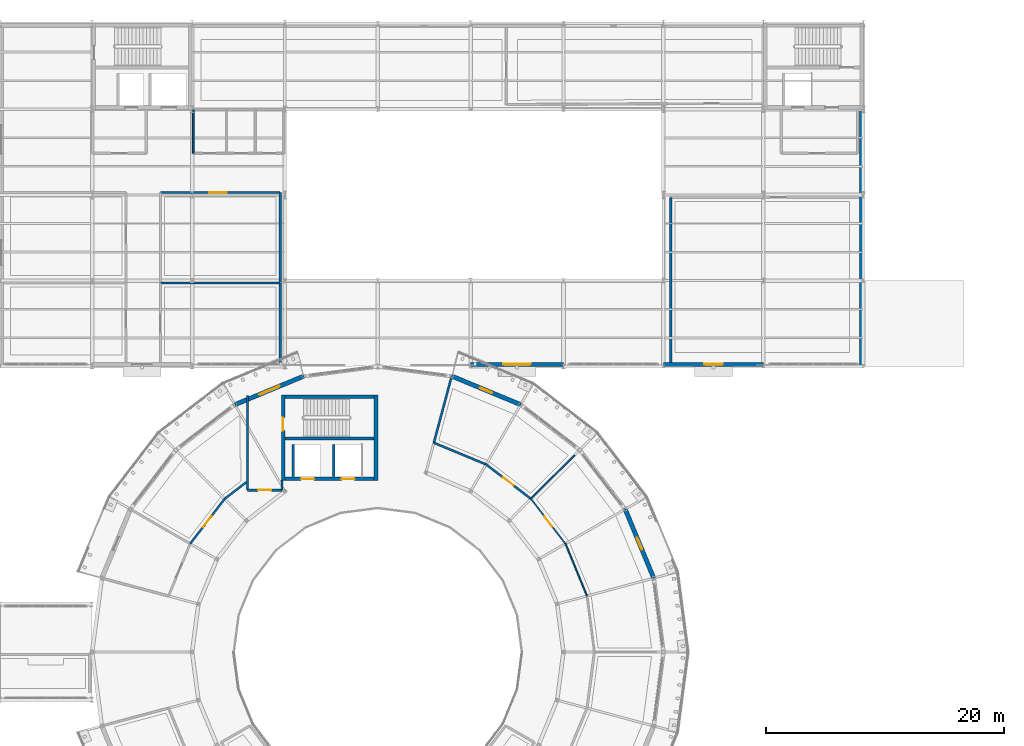
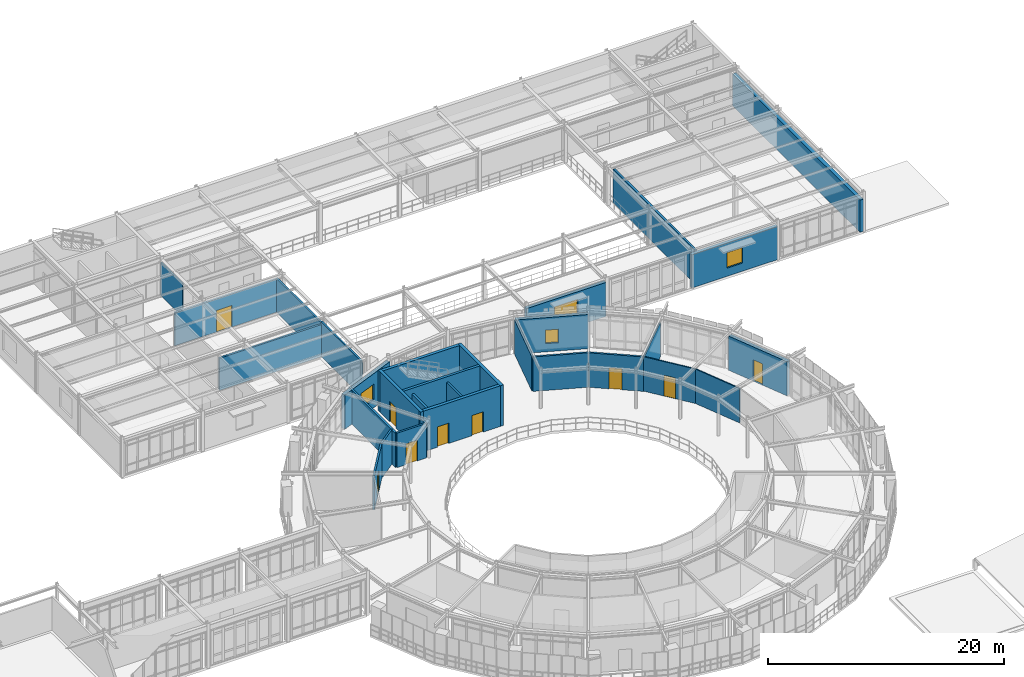
# One storey, part 77 of 90: 30 walls, 9 doors, 4 windows, 13 openings.
"""IFC4 building model written with IfcOpenShell, lengths in metres."""

from ifc_helpers import new_model, si_unit, derived_unit, direction, frame, frame_2d, origin, place, context, subcontext, project, spatial, rectangle, extrude, material, layer, layer_set, type_object, element, fill, save


model = new_model("IFC4")

# Units and contexts
model_context = context("Model", 3, precision=1e-05, world=origin(), true_north=direction((0.0, 1.0)))
body_context = subcontext(model_context, "Body", "Model", "MODEL_VIEW")
ifc_project = project(units=[si_unit("LENGTHUNIT", "METRE"), si_unit("AREAUNIT", "SQUARE_METRE"), si_unit("VOLUMEUNIT", "CUBIC_METRE"), si_unit("PLANEANGLEUNIT", "RADIAN"), si_unit("MASSUNIT", "GRAM", prefix="KILO"), derived_unit("THERMALTRANSMITTANCEUNIT", [(si_unit("POWERUNIT", "WATT"), 1), (si_unit("AREAUNIT", "SQUARE_METRE"), -1), (si_unit("THERMODYNAMICTEMPERATUREUNIT", "KELVIN"), -1)])], contexts=[model_context])

# Site, building, storey
site_placement = place(None, origin())
site = spatial("IfcSite", under=ifc_project, at=site_placement, CompositionType="ELEMENT")
building_placement = place(site_placement, origin())
building = spatial("IfcBuilding", under=site, at=building_placement, Name="Yasenodar Specialist Clinic", CompositionType="ELEMENT")
storey_placement = place(building_placement, frame((0.0, 0.0, 9.0)))
storey = spatial("IfcBuildingStorey", under=building, at=storey_placement, Name="L02", CompositionType="ELEMENT", Elevation=9.0)

# Wall, opening, door
ifc_material_1 = material(Name="Drum Insulated Terracotta Chord Wall", Category="masonry")
ifc_layer_1 = layer(ifc_material_1, 0.364990234375)
ifc_layer_set_1 = layer_set([ifc_layer_1], Name="Drum Insulated Terracotta Chord Wall")
wall_type_1 = type_object("IfcWallType", Name="EW-DRUM-365", PredefinedType="SOLIDWALL", material=ifc_layer_set_1)
wall_1_placement = place(storey_placement, frame((101.78466796875, 70.800048828125, 0.0), z_axis=(0.0, 0.0, 1.0), x_axis=(0.382663829839, -0.9238876519, 0.0)))
wall_1 = element("IfcWall", 1, at=wall_1_placement, inside=storey, type_object=wall_type_1, Name="L02 Exterior Facade Wall 0016", PredefinedType="SOLIDWALL", context=body_context, shape_type="SweptSolid", body=[
    extrude(rectangle(XDim=6.26513671875, YDim=0.364990234375, at=frame_2d((3.132568359375, 0.0))), origin(), (0.0, 0.0, 1.0), 3.5380859375),
])
opening_1_placement = place(wall_1_placement, frame((2.607666015625, 0.0, 0.0)))
opening_1 = element("IfcOpeningElement", 2, at=opening_1_placement, cuts=wall_1, Name="Opening BD-01", PredefinedType="OPENING", context=body_context, shape_type="SweptSolid", body=[
    extrude(rectangle(XDim=1.050048828125, YDim=2.199951171875, at=frame_2d((0.52490234375, 1.10009765625))), frame((0.0, 0.1923828125, 0.0), z_axis=(0.0, -1.0, 0.0), x_axis=(1.0, 0.0, 0.0)), (0.0, 0.0, 1.0), 0.385009765625),
])
ifc_material_2 = material(Name="Thermally Broken Bronze Anodized Aluminium and Laminated Glass", Category="aluminium")
door_type_1 = type_object("IfcDoorType", Name="DR-BALC-105", OperationType="NOTDEFINED", PredefinedType="DOOR", material=ifc_material_2)
door_1_placement = place(opening_1_placement, origin())
door_1 = element("IfcDoor", 3, at=door_1_placement, inside=storey, type_object=door_type_1, Name="L02 Drum Balcony Access Door Sector 01", OperationType="SINGLE_SWING_LEFT", OverallHeight=2.199951171875, OverallWidth=1.050048828125, PredefinedType="DOOR", context=body_context, shape_type="SweptSolid", body=[
    extrude(rectangle(XDim=1.050048828125, YDim=2.199951171875, at=frame_2d((0.52490234375, 1.10009765625))), frame((0.0, 0.02490234375, 0.0), z_axis=(0.0, -1.0, 0.0), x_axis=(1.0, 0.0, 0.0)), (0.0, 0.0, 1.0), 0.050048828125),
])
fill(opening_1, door_1)

# Wall, opening, window
wall_2_placement = place(storey_placement, frame((87.211669921875, 81.982177734375, 0.0), z_axis=(0.0, 0.0, 1.0), x_axis=(0.9238876519, -0.382663829839, 0.0)))
wall_2 = element("IfcWall", 4, at=wall_2_placement, inside=storey, type_object=wall_type_1, Name="L02 Exterior Facade Wall 0017", PredefinedType="SOLIDWALL", context=body_context, shape_type="SweptSolid", body=[
    extrude(rectangle(XDim=6.26513671875, YDim=0.364990234375, at=frame_2d((3.132568359375, 0.0))), origin(), (0.0, 0.0, 1.0), 3.5380859375),
])
opening_2_placement = place(wall_2_placement, frame((2.58251953125, 0.0, 0.85009765625)))
opening_2 = element("IfcOpeningElement", 5, at=opening_2_placement, cuts=wall_2, Name="Opening W-19", PredefinedType="OPENING", context=body_context, shape_type="SweptSolid", body=[
    extrude(rectangle(XDim=1.10009765625, YDim=1.39990234375, at=frame_2d((0.550048828125, 0.699951171875))), frame((0.0, 0.1923828125, 0.0), z_axis=(0.0, -1.0, 0.0), x_axis=(1.0, 0.0, 0.0)), (0.0, 0.0, 1.0), 0.385009765625),
])
ifc_material_3 = material(Name="Triple Low-E Argon Glazing in Bronze Aluminium Frame", Category="aluminium")
window_type_1 = type_object("IfcWindowType", Name="WIN-EXT-19", PartitioningType="SINGLE_PANEL", PredefinedType="WINDOW", material=ifc_material_3)
window_1_placement = place(opening_2_placement, origin())
window_1 = element("IfcWindow", 6, at=window_1_placement, inside=storey, type_object=window_type_1, Name="L02 Triple-Glazed Reveal Window 0010", OverallHeight=1.39990234375, OverallWidth=1.10009765625, PartitioningType="SINGLE_PANEL", PredefinedType="WINDOW", context=body_context, shape_type="SweptSolid", body=[
    extrude(rectangle(XDim=1.10009765625, YDim=1.39990234375, at=frame_2d((0.550048828125, 0.699951171875))), frame((0.0, 0.030029296875, 0.0), z_axis=(0.0, -1.0, 0.0), x_axis=(1.0, 0.0, 0.0)), (0.0, 0.0, 1.0), 0.06005859375),
])
fill(opening_2, window_1)

wall_3_placement = place(storey_placement, frame((69.0, 79.584716796875, 0.0), z_axis=(0.0, 0.0, 1.0), x_axis=(0.9238876519, 0.382663829839, 0.0)))
wall_3 = element("IfcWall", 7, at=wall_3_placement, inside=storey, type_object=wall_type_1, Name="L02 Exterior Facade Wall 0018", PredefinedType="SOLIDWALL", context=body_context, shape_type="SweptSolid", body=[
    extrude(rectangle(XDim=6.26513671875, YDim=0.364990234375, at=frame_2d((3.132568359375, 0.0))), origin(), (0.0, 0.0, 1.0), 3.5380859375),
])
opening_3_placement = place(wall_3_placement, frame((2.20751953125, 0.0, 0.85009765625)))
opening_3 = element("IfcOpeningElement", 8, at=opening_3_placement, cuts=wall_3, Name="Opening W-28", PredefinedType="OPENING", context=body_context, shape_type="SweptSolid", body=[
    extrude(rectangle(XDim=1.85009765625, YDim=1.60009765625, at=frame_2d((0.925048828125, 0.800048828125))), frame((0.0, 0.1923828125, 0.0), z_axis=(0.0, -1.0, 0.0), x_axis=(1.0, 0.0, 0.0)), (0.0, 0.0, 1.0), 0.385009765625),
])
window_type_2 = type_object("IfcWindowType", Name="WIN-EXT-28", PartitioningType="SINGLE_PANEL", PredefinedType="WINDOW", material=ifc_material_3)
window_2_placement = place(opening_3_placement, origin())
window_2 = element("IfcWindow", 9, at=window_2_placement, inside=storey, type_object=window_type_2, Name="L02 Triple-Glazed Reveal Window 0011", OverallHeight=1.60009765625, OverallWidth=1.85009765625, PartitioningType="SINGLE_PANEL", PredefinedType="WINDOW", context=body_context, shape_type="SweptSolid", body=[
    extrude(rectangle(XDim=1.85009765625, YDim=1.60009765625, at=frame_2d((0.925048828125, 0.800048828125))), frame((0.0, 0.030029296875, 0.0), z_axis=(0.0, -1.0, 0.0), x_axis=(1.0, 0.0, 0.0)), (0.0, 0.0, 1.0), 0.06005859375),
])
fill(opening_3, window_2)

ifc_material_4 = material(Name="Buff Architectural Terracotta Rainscreen", Category="masonry")
ifc_layer_2 = layer(ifc_material_4, 0.340087890625)
ifc_layer_set_2 = layer_set([ifc_layer_2], Name="Buff Architectural Terracotta Rainscreen")
wall_type_2 = type_object("IfcWallType", Name="EW-TERR-340", PredefinedType="SOLIDWALL", material=ifc_layer_set_2)
wall_4_placement = place(storey_placement, frame((113.39990234375, 82.969970703125, 0.0), z_axis=(0.0, 0.0, 1.0), x_axis=(-1.0, 0.0, 0.0)))
wall_4 = element("IfcWall", 10, at=wall_4_placement, inside=storey, type_object=wall_type_2, Name="L02 Exterior Facade Wall 0139", PredefinedType="SOLIDWALL", context=body_context, shape_type="SweptSolid", body=[
    extrude(rectangle(XDim=8.39990234375, YDim=0.340087890625, at=frame_2d((4.199951171875, 0.0))), origin(), (0.0, 0.0, 1.0), 3.427978515625),
])
opening_4_placement = place(wall_4_placement, frame((3.425048828125, 0.0, 0.85009765625)))
opening_4 = element("IfcOpeningElement", 11, at=opening_4_placement, cuts=wall_4, Name="Opening W-16", PredefinedType="OPENING", context=body_context, shape_type="SweptSolid", body=[
    extrude(rectangle(XDim=1.550048828125, YDim=1.60009765625, at=frame_2d((0.77490234375, 0.800048828125))), frame((0.0, 0.18017578125, 0.0), z_axis=(0.0, -1.0, 0.0), x_axis=(1.0, 0.0, 0.0)), (0.0, 0.0, 1.0), 0.360107421875),
])
window_type_3 = type_object("IfcWindowType", Name="WIN-EXT-16", PartitioningType="SINGLE_PANEL", PredefinedType="WINDOW", material=ifc_material_3)
window_3_placement = place(opening_4_placement, origin())
window_3 = element("IfcWindow", 12, at=window_3_placement, inside=storey, type_object=window_type_3, Name="L02 Triple-Glazed Reveal Window 0155", OverallHeight=1.60009765625, OverallWidth=1.550048828125, PartitioningType="SINGLE_PANEL", PredefinedType="WINDOW", context=body_context, shape_type="SweptSolid", body=[
    extrude(rectangle(XDim=1.550048828125, YDim=1.60009765625, at=frame_2d((0.77490234375, 0.800048828125))), frame((0.0, 0.030029296875, 0.0), z_axis=(0.0, -1.0, 0.0), x_axis=(1.0, 0.0, 0.0)), (0.0, 0.0, 1.0), 0.06005859375),
])
fill(opening_4, window_3)

wall_5_placement = place(storey_placement, frame((96.60009765625, 82.969970703125, 0.0), z_axis=(0.0, 0.0, 1.0), x_axis=(-1.0, 0.0, 0.0)))
wall_5 = element("IfcWall", 13, at=wall_5_placement, inside=storey, type_object=wall_type_2, Name="L02 Exterior Facade Wall 0140", PredefinedType="SOLIDWALL", context=body_context, shape_type="SweptSolid", body=[
    extrude(rectangle(XDim=7.800048828125, YDim=0.340087890625, at=frame_2d((3.89990234375, 0.0))), origin(), (0.0, 0.0, 1.0), 3.528076171875),
])
opening_5_placement = place(wall_5_placement, frame((2.75, 0.0, 0.85009765625)))
opening_5 = element("IfcOpeningElement", 14, at=opening_5_placement, cuts=wall_5, Name="Opening W-18", PredefinedType="OPENING", context=body_context, shape_type="SweptSolid", body=[
    extrude(rectangle(XDim=2.300048828125, YDim=1.89990234375, at=frame_2d((1.14990234375, 0.949951171875))), frame((0.0, 0.18017578125, 0.0), z_axis=(0.0, -1.0, 0.0), x_axis=(1.0, 0.0, 0.0)), (0.0, 0.0, 1.0), 0.360107421875),
])
window_type_4 = type_object("IfcWindowType", Name="WIN-EXT-18", PartitioningType="SINGLE_PANEL", PredefinedType="WINDOW", material=ifc_material_3)
window_4_placement = place(opening_5_placement, origin())
window_4 = element("IfcWindow", 15, at=window_4_placement, inside=storey, type_object=window_type_4, Name="L02 Triple-Glazed Reveal Window 0156", OverallHeight=1.89990234375, OverallWidth=2.300048828125, PartitioningType="SINGLE_PANEL", PredefinedType="WINDOW", context=body_context, shape_type="SweptSolid", body=[
    extrude(rectangle(XDim=2.300048828125, YDim=1.89990234375, at=frame_2d((1.14990234375, 0.949951171875))), frame((0.0, 0.030029296875, 0.0), z_axis=(0.0, -1.0, 0.0), x_axis=(1.0, 0.0, 0.0)), (0.0, 0.0, 1.0), 0.06005859375),
])
fill(opening_5, window_4)

# Wall
wall_6_placement = place(storey_placement, frame((121.6298828125, 104.39990234375, 0.0), z_axis=(0.0, 0.0, 1.0), x_axis=(0.0, -1.0, 0.0)))
element("IfcWall", 16, at=wall_6_placement, inside=storey, type_object=wall_type_2, Name="L02 Exterior Facade Wall 0168", PredefinedType="SOLIDWALL", context=body_context, shape_type="SweptSolid", body=[
    extrude(rectangle(XDim=21.599853515625, YDim=0.340087890625, at=frame_2d((10.7998046875, 0.0))), origin(), (0.0, 0.0, 1.0), 3.327880859375),
])

# Wall, opening, door
ifc_material_5 = material(Name="Cleanroom Laboratory Partition")
ifc_layer_3 = layer(ifc_material_5, 0.169921875)
ifc_layer_set_3 = layer_set([ifc_layer_3], Name="Cleanroom Laboratory Partition")
wall_type_3 = type_object("IfcWallType", Name="IW-LAB-170", PredefinedType="PARTITIONING", material=ifc_layer_set_3)
wall_7_placement = place(storey_placement, frame((68.130615234375, 71.669189453125, 0.0), z_axis=(0.0, 0.0, 1.0), x_axis=(-0.608769147025, -0.793347417989, 0.0)))
wall_7 = element("IfcWall", 17, at=wall_7_placement, inside=storey, type_object=wall_type_3, Name="L02 Pain Management Infusion Suite Partition", PredefinedType="PARTITIONING", context=body_context, shape_type="SweptSolid", body=[
    extrude(rectangle(XDim=4.751220703125, YDim=0.169921875, at=frame_2d((2.37548828125, 0.0))), origin(), (0.0, 0.0, 1.0), 3.568115234375),
])
opening_6_placement = place(wall_7_placement, frame((1.82568359375, 0.0, 0.0)))
opening_6 = element("IfcOpeningElement", 18, at=opening_6_placement, cuts=wall_7, Name="Opening D-06", PredefinedType="OPENING", context=body_context, shape_type="SweptSolid", body=[
    extrude(rectangle(XDim=1.179931640625, YDim=2.199951171875, at=frame_2d((0.58984375, 1.10009765625))), frame((0.0, 0.094970703125, 0.0), z_axis=(0.0, -1.0, 0.0), x_axis=(1.0, 0.0, 0.0)), (0.0, 0.0, 1.0), 0.18994140625),
])
ifc_material_6 = material(Name="Powder-Coated Steel and Acoustic Laminate Leaf", Category="steel")
door_type_2 = type_object("IfcDoorType", Name="DR-CLN-118", OperationType="NOTDEFINED", PredefinedType="DOOR", material=ifc_material_6)
door_2_placement = place(opening_6_placement, origin())
door_2 = element("IfcDoor", 19, at=door_2_placement, inside=storey, type_object=door_type_2, Name="L02 Pain Management Infusion Suite Door", OperationType="SINGLE_SWING_LEFT", OverallHeight=2.199951171875, OverallWidth=1.179931640625, PredefinedType="DOOR", context=body_context, shape_type="SweptSolid", body=[
    extrude(rectangle(XDim=1.179931640625, YDim=2.199951171875, at=frame_2d((0.58984375, 1.10009765625))), frame((0.0, 0.02490234375, 0.0), z_axis=(0.0, -1.0, 0.0), x_axis=(1.0, 0.0, 0.0)), (0.0, 0.0, 1.0), 0.050048828125),
])
fill(opening_6, door_2)

# Walls
wall_8_placement = place(storey_placement, frame((69.968505859375, 73.079345703125, 0.0), z_axis=(0.0, 0.0, 1.0), x_axis=(-0.7933756116, -0.608732403374, 0.0)))
element("IfcWall", 20, at=wall_8_placement, inside=storey, type_object=wall_type_3, Name="L02 Pain Management Infusion Suite Partition", PredefinedType="PARTITIONING", context=body_context, shape_type="SweptSolid", body=[
    extrude(rectangle(XDim=2.316650390625, YDim=0.169921875, at=frame_2d((1.158203125, 0.0))), origin(), (0.0, 0.0, 1.0), 3.568115234375),
])
ifc_material_7 = material(Name="Fire-Rated Gypsum and Mineral-Wool Wall")
ifc_layer_4 = layer(ifc_material_7, 0.195068359375)
ifc_layer_set_4 = layer_set([ifc_layer_4], Name="Fire-Rated Gypsum and Mineral-Wool Wall")
wall_type_4 = type_object("IfcWallType", Name="IW-LOBBY-195", PredefinedType="PARTITIONING", material=ifc_layer_set_4)
wall_9_placement = place(storey_placement, frame((70.050048828125, 72.39990234375, 0.0), z_axis=(0.0, 0.0, 1.0), x_axis=(0.0, 1.0, 0.0)))
element("IfcWall", 21, at=wall_9_placement, inside=storey, type_object=wall_type_4, Name="L02 C3 Stair Vestibule West Wall", PredefinedType="PARTITIONING", context=body_context, shape_type="SweptSolid", body=[
    extrude(rectangle(XDim=7.9501953125, YDim=0.195068359375, at=frame_2d((3.97509765625, 0.0))), origin(), (0.0, 0.0, 1.0), 3.5380859375),
])

# Wall, opening, door
wall_10_placement = place(storey_placement, frame((70.050048828125, 72.39990234375, 0.0), z_axis=(0.0, 0.0, 1.0), x_axis=(1.0, 0.0, 0.0)))
wall_10 = element("IfcWall", 22, at=wall_10_placement, inside=storey, type_object=wall_type_4, Name="L02 C3 Stair Vestibule South Wall", PredefinedType="PARTITIONING", context=body_context, shape_type="SweptSolid", body=[
    extrude(rectangle(XDim=2.89990234375, YDim=0.195068359375, at=frame_2d((1.449951171875, 0.0))), origin(), (0.0, 0.0, 1.0), 3.568115234375),
])
opening_7_placement = place(wall_10_placement, frame((0.89990234375, 0.0, 0.0)))
opening_7 = element("IfcOpeningElement", 23, at=opening_7_placement, cuts=wall_10, Name="Opening FD-01", PredefinedType="OPENING", context=body_context, shape_type="SweptSolid", body=[
    extrude(rectangle(XDim=1.10009765625, YDim=2.14990234375, at=frame_2d((0.550048828125, 1.074951171875))), frame((0.0, 0.107421875, 0.0), z_axis=(0.0, -1.0, 0.0), x_axis=(1.0, 0.0, 0.0)), (0.0, 0.0, 1.0), 0.215087890625),
])
ifc_material_8 = material(Name="Fire-Rated Insulated Steel Door", Category="steel")
door_type_3 = type_object("IfcDoorType", Name="DR-FD-110", OperationType="NOTDEFINED", PredefinedType="DOOR", material=ifc_material_8)
door_3_placement = place(opening_7_placement, origin())
door_3 = element("IfcDoor", 24, at=door_3_placement, inside=storey, type_object=door_type_3, Name="L02 Stair ST-03 Ring Corridor Vestibule Door", OperationType="SINGLE_SWING_RIGHT", OverallHeight=2.14990234375, OverallWidth=1.10009765625, PredefinedType="DOOR", context=body_context, shape_type="SweptSolid", body=[
    extrude(rectangle(XDim=1.10009765625, YDim=2.14990234375, at=frame_2d((0.550048828125, 1.074951171875))), frame((0.0, 0.02490234375, 0.0), z_axis=(0.0, -1.0, 0.0), x_axis=(1.0, 0.0, 0.0)), (0.0, 0.0, 1.0), 0.050048828125),
])
fill(opening_7, door_3)

# Wall
wall_11_placement = place(storey_placement, frame((72.949951171875, 72.39990234375, 0.0), z_axis=(0.0, 0.0, 1.0), x_axis=(0.0, 1.0, 0.0)))
element("IfcWall", 25, at=wall_11_placement, inside=storey, type_object=wall_type_4, Name="L02 C3 Stair Vestibule Corner Return Wall", PredefinedType="PARTITIONING", context=body_context, shape_type="SweptSolid", body=[
    extrude(rectangle(XDim=0.85009765625, YDim=0.195068359375, at=frame_2d((0.425048828125, 0.0))), origin(), (0.0, 0.0, 1.0), 3.568115234375),
])

# Wall, opening, door
ifc_material_9 = material(Name="Lightweight Counseling Partition")
ifc_layer_5 = layer(ifc_material_9, 0.114990234375)
ifc_layer_set_5 = layer_set([ifc_layer_5], Name="Lightweight Counseling Partition")
wall_type_5 = type_object("IfcWallType", Name="IW-PART-115", PredefinedType="PARTITIONING", material=ifc_layer_set_5)
wall_12_placement = place(storey_placement, frame((96.76171875, 67.89990234375, 0.0), z_axis=(0.0, 0.0, 1.0), x_axis=(-0.608769147025, 0.793347417989, 0.0)))
wall_12 = element("IfcWall", 26, at=wall_12_placement, inside=storey, type_object=wall_type_5, Name="L02 Targeted Biologics Infusion Suite Partition", PredefinedType="PARTITIONING", context=body_context, shape_type="SweptSolid", body=[
    extrude(rectangle(XDim=4.751220703125, YDim=0.114990234375, at=frame_2d((2.37548828125, 0.0))), origin(), (0.0, 0.0, 1.0), 3.568115234375),
])
opening_8_placement = place(wall_12_placement, frame((1.82568359375, 0.0, 0.0)))
opening_8 = element("IfcOpeningElement", 27, at=opening_8_placement, cuts=wall_12, Name="Opening D-04", PredefinedType="OPENING", context=body_context, shape_type="SweptSolid", body=[
    extrude(rectangle(XDim=1.06005859375, YDim=2.159912109375, at=frame_2d((0.530029296875, 1.080078125))), frame((0.0, 0.0673828125, 0.0), z_axis=(0.0, -1.0, 0.0), x_axis=(1.0, 0.0, 0.0)), (0.0, 0.0, 1.0), 0.135009765625),
])
door_type_4 = type_object("IfcDoorType", Name="DR-CLN-106", OperationType="NOTDEFINED", PredefinedType="DOOR", material=ifc_material_6)
door_4_placement = place(opening_8_placement, origin())
door_4 = element("IfcDoor", 28, at=door_4_placement, inside=storey, type_object=door_type_4, Name="L02 Targeted Biologics Infusion Suite Door", OperationType="SINGLE_SWING_LEFT", OverallHeight=2.159912109375, OverallWidth=1.06005859375, PredefinedType="DOOR", context=body_context, shape_type="SweptSolid", body=[
    extrude(rectangle(XDim=1.06005859375, YDim=2.159912109375, at=frame_2d((0.530029296875, 1.080078125))), frame((0.0, 0.02490234375, 0.0), z_axis=(0.0, -1.0, 0.0), x_axis=(1.0, 0.0, 0.0)), (0.0, 0.0, 1.0), 0.050048828125),
])
fill(opening_8, door_4)

# Walls
wall_13_placement = place(storey_placement, frame((98.579833984375, 63.510498046875, 0.0), z_axis=(0.0, 0.0, 1.0), x_axis=(-0.382677044484, 0.923882178432, 0.0)))
element("IfcWall", 29, at=wall_13_placement, inside=storey, type_object=wall_type_5, Name="L02 Targeted Biologics Infusion Suite Partition", PredefinedType="PARTITIONING", context=body_context, shape_type="SweptSolid", body=[
    extrude(rectangle(XDim=4.7509765625, YDim=0.114990234375, at=frame_2d((2.37548828125, 0.0))), origin(), (0.0, 0.0, 1.0), 3.568115234375),
])
wall_14_placement = place(storey_placement, frame((93.869384765625, 71.669189453125, 0.0), z_axis=(0.0, 0.0, 1.0), x_axis=(0.707106781187, 0.707106781187, 0.0)))
element("IfcWall", 30, at=wall_14_placement, inside=storey, type_object=wall_type_5, Name="L02 Targeted Biologics Infusion Suite Partition", PredefinedType="PARTITIONING", context=body_context, shape_type="SweptSolid", body=[
    extrude(rectangle(XDim=5.199951171875, YDim=0.114990234375, at=frame_2d((2.60009765625, 0.0))), origin(), (0.0, 0.0, 1.0), 3.568115234375),
])

# Wall, opening, door
ifc_material_10 = material(Name="Hygienic Double-Stud Clinical Partition")
ifc_layer_6 = layer(ifc_material_10, 0.179931640625)
ifc_layer_set_6 = layer_set([ifc_layer_6], Name="Hygienic Double-Stud Clinical Partition")
wall_type_6 = type_object("IfcWallType", Name="IW-PROC-180", PredefinedType="PARTITIONING", material=ifc_layer_set_6)
wall_15_placement = place(storey_placement, frame((93.853271484375, 71.681640625, 0.0), z_axis=(0.0, 0.0, 1.0), x_axis=(-0.793331351881, 0.608790083792, 0.0)))
wall_15 = element("IfcWall", 31, at=wall_15_placement, inside=storey, type_object=wall_type_6, Name="L02 Apheresis Treatment Room Partition", PredefinedType="PARTITIONING", context=body_context, shape_type="SweptSolid", body=[
    extrude(rectangle(XDim=4.73095703125, YDim=0.179931640625, at=frame_2d((2.365478515625, 0.0))), origin(), (0.0, 0.0, 1.0), 3.568115234375),
])
opening_9_placement = place(wall_15_placement, frame((1.8154296875, 0.0, 0.0)))
opening_9 = element("IfcOpeningElement", 32, at=opening_9_placement, cuts=wall_15, Name="Opening D-05", PredefinedType="OPENING", context=body_context, shape_type="SweptSolid", body=[
    extrude(rectangle(XDim=1.1201171875, YDim=2.179931640625, at=frame_2d((0.56005859375, 1.08984375))), frame((0.0, 0.10009765625, 0.0), z_axis=(0.0, -1.0, 0.0), x_axis=(1.0, 0.0, 0.0)), (0.0, 0.0, 1.0), 0.199951171875),
])
door_type_5 = type_object("IfcDoorType", Name="DR-CLN-112", OperationType="NOTDEFINED", PredefinedType="DOOR", material=ifc_material_6)
door_5_placement = place(opening_9_placement, origin())
door_5 = element("IfcDoor", 33, at=door_5_placement, inside=storey, type_object=door_type_5, Name="L02 Apheresis Treatment Room Door", OperationType="SINGLE_SWING_RIGHT", OverallHeight=2.179931640625, OverallWidth=1.1201171875, PredefinedType="DOOR", context=body_context, shape_type="SweptSolid", body=[
    extrude(rectangle(XDim=1.1201171875, YDim=2.179931640625, at=frame_2d((0.56005859375, 1.08984375))), frame((0.0, 0.02490234375, 0.0), z_axis=(0.0, -1.0, 0.0), x_axis=(1.0, 0.0, 0.0)), (0.0, 0.0, 1.0), 0.050048828125),
])
fill(opening_9, door_5)

# Walls
wall_16_placement = place(storey_placement, frame((90.10009765625, 74.561767578125, 0.0), z_axis=(0.0, 0.0, 1.0), x_axis=(-0.923889703059, 0.382658877568, 0.0)))
element("IfcWall", 34, at=wall_16_placement, inside=storey, type_object=wall_type_6, Name="L02 Apheresis Treatment Room Partition", PredefinedType="PARTITIONING", context=body_context, shape_type="SweptSolid", body=[
    extrude(rectangle(XDim=4.751220703125, YDim=0.179931640625, at=frame_2d((2.37548828125, 0.0))), origin(), (0.0, 0.0, 1.0), 3.568115234375),
])
wall_17_placement = place(storey_placement, frame((85.71044921875, 76.3798828125, 0.0), z_axis=(0.0, 0.0, 1.0), x_axis=(0.258829913508, 0.965922914043, 0.0)))
element("IfcWall", 35, at=wall_17_placement, inside=storey, type_object=wall_type_6, Name="L02 Apheresis Treatment Room Partition", PredefinedType="PARTITIONING", context=body_context, shape_type="SweptSolid", body=[
    extrude(rectangle(XDim=5.635986328125, YDim=0.179931640625, at=frame_2d((2.81787109375, 0.0))), origin(), (0.0, 0.0, 1.0), 3.5380859375),
])
wall_18_placement = place(storey_placement, frame((72.800048828125, 89.800048828125, 0.0), z_axis=(0.0, 0.0, 1.0), x_axis=(-1.0, 0.0, 0.0)))
element("IfcWall", 36, at=wall_18_placement, inside=storey, type_object=wall_type_6, Name="L02 Minor Day-Procedure Suite 02 Partition", PredefinedType="PARTITIONING", context=body_context, shape_type="SweptSolid", body=[
    extrude(rectangle(XDim=10.050048828125, YDim=0.179931640625, at=frame_2d((5.02490234375, 0.0))), origin(), (0.0, 0.0, 1.0), 3.327880859375),
])
wall_19_placement = place(storey_placement, frame((72.800048828125, 83.030029296875, 0.0), z_axis=(0.0, 0.0, 1.0), x_axis=(0.0, 1.0, 0.0)))
element("IfcWall", 37, at=wall_19_placement, inside=storey, type_object=wall_type_6, Name="L02 Minor Day-Procedure Suite 02 Partition", PredefinedType="PARTITIONING", context=body_context, shape_type="SweptSolid", body=[
    extrude(rectangle(XDim=6.77001953125, YDim=0.179931640625, at=frame_2d((3.385009765625, 0.0))), origin(), (0.0, 0.0, 1.0), 3.597900390625),
])

# Wall, opening, door
wall_20_placement = place(storey_placement, frame((72.800048828125, 97.39990234375, 0.0), z_axis=(0.0, 0.0, 1.0), x_axis=(-1.0, 0.0, 0.0)))
wall_20 = element("IfcWall", 38, at=wall_20_placement, inside=storey, type_object=wall_type_6, Name="L02 Day-Procedure Recovery Bay Partition", PredefinedType="PARTITIONING", context=body_context, shape_type="SweptSolid", body=[
    extrude(rectangle(XDim=10.050048828125, YDim=0.179931640625, at=frame_2d((5.02490234375, 0.0))), origin(), (0.0, 0.0, 1.0), 3.427978515625),
])
opening_10_placement = place(wall_20_placement, frame((4.47509765625, 0.0, 0.0)))
opening_10 = element("IfcOpeningElement", 39, at=opening_10_placement, cuts=wall_20, Name="Opening D-09", PredefinedType="OPENING", context=body_context, shape_type="SweptSolid", body=[
    extrude(rectangle(XDim=1.47998046875, YDim=2.239990234375, at=frame_2d((0.739990234375, 1.1201171875))), frame((0.0, 0.10009765625, 0.0), z_axis=(0.0, -1.0, 0.0), x_axis=(1.0, 0.0, 0.0)), (0.0, 0.0, 1.0), 0.199951171875),
])
door_type_6 = type_object("IfcDoorType", Name="DR-BED-148", OperationType="DOUBLE_DOOR_SINGLE_SWING", PredefinedType="DOOR", material=ifc_material_6)
door_6_placement = place(opening_10_placement, origin())
door_6 = element("IfcDoor", 40, at=door_6_placement, inside=storey, type_object=door_type_6, Name="L02 Day-Procedure Recovery Bay Door", OperationType="DOUBLE_DOOR_SINGLE_SWING", OverallHeight=2.239990234375, OverallWidth=1.47998046875, PredefinedType="DOOR", context=body_context, shape_type="SweptSolid", body=[
    extrude(rectangle(XDim=1.47998046875, YDim=2.239990234375, at=frame_2d((0.739990234375, 1.1201171875))), frame((0.0, 0.02490234375, 0.0), z_axis=(0.0, -1.0, 0.0), x_axis=(1.0, 0.0, 0.0)), (0.0, 0.0, 1.0), 0.050048828125),
])
fill(opening_10, door_6)

# Walls
wall_21_placement = place(storey_placement, frame((72.800048828125, 89.8701171875, 0.0), z_axis=(0.0, 0.0, 1.0), x_axis=(0.0, 1.0, 0.0)))
element("IfcWall", 41, at=wall_21_placement, inside=storey, type_object=wall_type_6, Name="L02 Day-Procedure Recovery Bay Partition", PredefinedType="PARTITIONING", context=body_context, shape_type="SweptSolid", body=[
    extrude(rectangle(XDim=7.52978515625, YDim=0.179931640625, at=frame_2d((3.764892578125, 0.0))), origin(), (0.0, 0.0, 1.0), 3.47802734375),
])
ifc_material_11 = material(Name="Aerated Concrete Blockwork Fire Shaft Wall", Category="masonry")
ifc_layer_7 = layer(ifc_material_11, 0.205078125)
ifc_layer_set_7 = layer_set([ifc_layer_7], Name="Aerated Concrete Blockwork Fire Shaft Wall")
wall_type_7 = type_object("IfcWallType", Name="IW-SHAFT-205", PredefinedType="PARTITIONING", material=ifc_layer_set_7)
for number, where, z_axis, x_axis, name in (
    (42, (73.89990234375, 73.550048828125, 0.0), (0.0, 0.0, 1.0), (0.0, 1.0, 0.0), "L02 LF-06 Lift Shaft Side Wall"),
    (43, (77.300048828125, 73.550048828125, 0.0), (0.0, 0.0, 1.0), (0.0, 1.0, 0.0), "L02 LF-07 Lift Shaft Side Wall"),
):
    element("IfcWall", number, at=place(storey_placement, frame(where, z_axis=z_axis, x_axis=x_axis)), inside=storey, type_object=wall_type_7, Name=name, PredefinedType="PARTITIONING", context=body_context, shape_type="SweptSolid", body=[
        extrude(rectangle(XDim=2.699951171875, YDim=0.205078125, at=frame_2d((1.35009765625, 0.0))), origin(), (0.0, 0.0, 1.0), 3.929931640625),
    ])
wall_22_placement = place(storey_placement, frame((105.60009765625, 83.1201171875, 0.0), z_axis=(0.0, 0.0, 1.0), x_axis=(0.0, 1.0, 0.0)))
element("IfcWall", 44, at=wall_22_placement, inside=storey, type_object=wall_type_7, Name="L02 Sterile Pack Preparation Store Partition", PredefinedType="PARTITIONING", context=body_context, shape_type="SweptSolid", body=[
    extrude(rectangle(XDim=13.8798828125, YDim=0.205078125, at=frame_2d((6.93994140625, 0.0))), origin(), (0.0, 0.0, 1.0), 3.528076171875),
])
ifc_material_12 = material(Name="Moisture-Resistant Sanitary Partition")
ifc_layer_8 = layer(ifc_material_12, 0.139892578125)
ifc_layer_set_8 = layer_set([ifc_layer_8], Name="Moisture-Resistant Sanitary Partition")
wall_type_8 = type_object("IfcWallType", Name="IW-WET-140", PredefinedType="PARTITIONING", material=ifc_layer_set_8)
wall_23_placement = place(storey_placement, frame((65.5, 100.699951171875, 0.0), z_axis=(0.0, 0.0, 1.0), x_axis=(0.0, 1.0, 0.0)))
element("IfcWall", 45, at=wall_23_placement, inside=storey, type_object=wall_type_8, Name="L02 North Sanitary Block West Wall", PredefinedType="PARTITIONING", context=body_context, shape_type="SweptSolid", body=[
    extrude(rectangle(XDim=3.679931640625, YDim=0.139892578125, at=frame_2d((1.83984375, 0.0))), origin(), (0.0, 0.0, 1.0), 3.427978515625),
])
ifc_material_13 = material(Name="Concrete C35/45", Category="concrete")
ifc_layer_9 = layer(ifc_material_13, 0.25)
ifc_layer_set_9 = layer_set([ifc_layer_9], Name="Concrete C35/45")
wall_type_9 = type_object("IfcWallType", Name="WL-CORE-250", PredefinedType="SHEAR", material=ifc_layer_set_9)
wall_24_placement = place(storey_placement, frame((73.199951171875, 76.75, 0.0), z_axis=(0.0, 0.0, 1.0), x_axis=(1.0, 0.0, 0.0)))
element("IfcWall", 46, at=wall_24_placement, inside=storey, type_object=wall_type_9, Name="L02 Core C3 Central Spine Wall", PredefinedType="SHEAR", context=body_context, shape_type="SweptSolid", body=[
    extrude(rectangle(XDim=7.5, YDim=0.25, at=frame_2d((3.75, 0.0))), origin(), (0.0, 0.0, 1.0), 4.199951171875),
])
ifc_layer_10 = layer(ifc_material_13, 0.300048828125)
ifc_layer_set_10 = layer_set([ifc_layer_10], Name="Concrete C35/45")
wall_type_10 = type_object("IfcWallType", Name="WL-CORE-300", PredefinedType="SHEAR", material=ifc_layer_set_10)
wall_25_placement = place(storey_placement, frame((72.89990234375, 80.25, 0.0), z_axis=(0.0, 0.0, 1.0), x_axis=(1.0, 0.0, 0.0)))
element("IfcWall", 47, at=wall_25_placement, inside=storey, type_object=wall_type_10, Name="L02 Core C3 North Shear Wall", PredefinedType="SHEAR", context=body_context, shape_type="SweptSolid", body=[
    extrude(rectangle(XDim=8.10009765625, YDim=0.300048828125, at=frame_2d((4.050048828125, 0.0))), origin(), (0.0, 0.0, 1.0), 4.199951171875),
])

# Wall, openings, doors
wall_26_placement = place(storey_placement, frame((72.89990234375, 73.35009765625, 0.0), z_axis=(0.0, 0.0, 1.0), x_axis=(1.0, 0.0, 0.0)))
wall_26 = element("IfcWall", 48, at=wall_26_placement, inside=storey, type_object=wall_type_10, Name="L02 Core C3 South Shear Wall", PredefinedType="SHEAR", context=body_context, shape_type="SweptSolid", body=[
    extrude(rectangle(XDim=8.10009765625, YDim=0.300048828125, at=frame_2d((4.050048828125, 0.0))), origin(), (0.0, 0.0, 1.0), 4.199951171875),
])
opening_11_placement = place(wall_26_placement, frame((1.64990234375, 0.0, 0.0)))
opening_11 = element("IfcOpeningElement", 49, at=opening_11_placement, cuts=wall_26, Name="Opening LD-03", PredefinedType="OPENING", context=body_context, shape_type="SweptSolid", body=[
    extrude(rectangle(XDim=1.10009765625, YDim=2.10009765625, at=frame_2d((0.550048828125, 1.050048828125))), frame((0.0, 0.16015625, 0.0), z_axis=(0.0, -1.0, 0.0), x_axis=(1.0, 0.0, 0.0)), (0.0, 0.0, 1.0), 0.320068359375),
])
opening_12_placement = place(wall_26_placement, frame((5.050048828125, 0.0, 0.0)))
opening_12 = element("IfcOpeningElement", 50, at=opening_12_placement, cuts=wall_26, Name="Opening LD-03", PredefinedType="OPENING", context=body_context, shape_type="SweptSolid", body=[
    extrude(rectangle(XDim=1.10009765625, YDim=2.10009765625, at=frame_2d((0.550048828125, 1.050048828125))), frame((0.0, 0.16015625, 0.0), z_axis=(0.0, -1.0, 0.0), x_axis=(1.0, 0.0, 0.0)), (0.0, 0.0, 1.0), 0.320068359375),
])
door_type_7 = type_object("IfcDoorType", Name="DR-LD-110", OperationType="DOUBLE_DOOR_SLIDING", PredefinedType="DOOR", material=ifc_material_8)
door_7_placement = place(opening_11_placement, origin())
door_7 = element("IfcDoor", 51, at=door_7_placement, inside=storey, type_object=door_type_7, Name="L02 LF-06 Lift Landing Door", OperationType="DOUBLE_DOOR_SLIDING", OverallHeight=2.10009765625, OverallWidth=1.10009765625, PredefinedType="DOOR", context=body_context, shape_type="SweptSolid", body=[
    extrude(rectangle(XDim=1.10009765625, YDim=2.10009765625, at=frame_2d((0.550048828125, 1.050048828125))), frame((0.0, 0.02490234375, 0.0), z_axis=(0.0, -1.0, 0.0), x_axis=(1.0, 0.0, 0.0)), (0.0, 0.0, 1.0), 0.050048828125),
])
fill(opening_11, door_7)
door_8_placement = place(opening_12_placement, origin())
door_8 = element("IfcDoor", 52, at=door_8_placement, inside=storey, type_object=door_type_7, Name="L02 LF-07 Lift Landing Door", OperationType="DOUBLE_DOOR_SLIDING", OverallHeight=2.10009765625, OverallWidth=1.10009765625, PredefinedType="DOOR", context=body_context, shape_type="SweptSolid", body=[
    extrude(rectangle(XDim=1.10009765625, YDim=2.10009765625, at=frame_2d((0.550048828125, 1.050048828125))), frame((0.0, 0.02490234375, 0.0), z_axis=(0.0, -1.0, 0.0), x_axis=(1.0, 0.0, 0.0)), (0.0, 0.0, 1.0), 0.050048828125),
])
fill(opening_12, door_8)

# Wall, opening, door
wall_27_placement = place(storey_placement, frame((73.050048828125, 73.199951171875, 0.0), z_axis=(0.0, 0.0, 1.0), x_axis=(0.0, 1.0, 0.0)))
wall_27 = element("IfcWall", 53, at=wall_27_placement, inside=storey, type_object=wall_type_10, Name="L02 Core C3 West Shear Wall", PredefinedType="SHEAR", context=body_context, shape_type="SweptSolid", body=[
    extrude(rectangle(XDim=7.199951171875, YDim=0.300048828125, at=frame_2d((3.60009765625, 0.0))), origin(), (0.0, 0.0, 1.0), 4.199951171875),
])
opening_13_placement = place(wall_27_placement, frame((4.199951171875, 0.0, 0.0)))
opening_13 = element("IfcOpeningElement", 54, at=opening_13_placement, cuts=wall_27, Name="Opening FD-01", PredefinedType="OPENING", context=body_context, shape_type="SweptSolid", body=[
    extrude(rectangle(XDim=1.10009765625, YDim=2.14990234375, at=frame_2d((0.550048828125, 1.074951171875))), frame((0.0, 0.16015625, 0.0), z_axis=(0.0, -1.0, 0.0), x_axis=(1.0, 0.0, 0.0)), (0.0, 0.0, 1.0), 0.320068359375),
])
door_9_placement = place(opening_13_placement, origin())
door_9 = element("IfcDoor", 55, at=door_9_placement, inside=storey, type_object=door_type_3, Name="L02 ST-03 Protected Stair Door", OperationType="SINGLE_SWING_LEFT", OverallHeight=2.14990234375, OverallWidth=1.10009765625, PredefinedType="DOOR", context=body_context, shape_type="SweptSolid", body=[
    extrude(rectangle(XDim=1.10009765625, YDim=2.14990234375, at=frame_2d((0.550048828125, 1.074951171875))), frame((0.0, 0.02490234375, 0.0), z_axis=(0.0, -1.0, 0.0), x_axis=(1.0, 0.0, 0.0)), (0.0, 0.0, 1.0), 0.050048828125),
])
fill(opening_13, door_9)

# Wall
wall_28_placement = place(storey_placement, frame((80.85009765625, 73.199951171875, 0.0), z_axis=(0.0, 0.0, 1.0), x_axis=(0.0, 1.0, 0.0)))
element("IfcWall", 56, at=wall_28_placement, inside=storey, type_object=wall_type_10, Name="L02 Core C3 East Shear Wall", PredefinedType="SHEAR", context=body_context, shape_type="SweptSolid", body=[
    extrude(rectangle(XDim=7.199951171875, YDim=0.300048828125, at=frame_2d((3.60009765625, 0.0))), origin(), (0.0, 0.0, 1.0), 4.199951171875),
])

save(model, "model.ifc")
